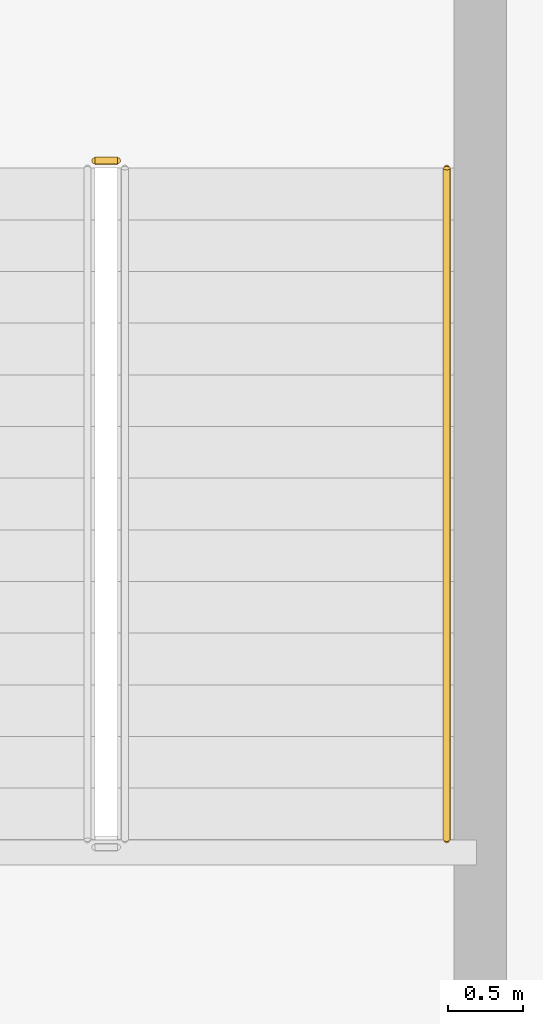
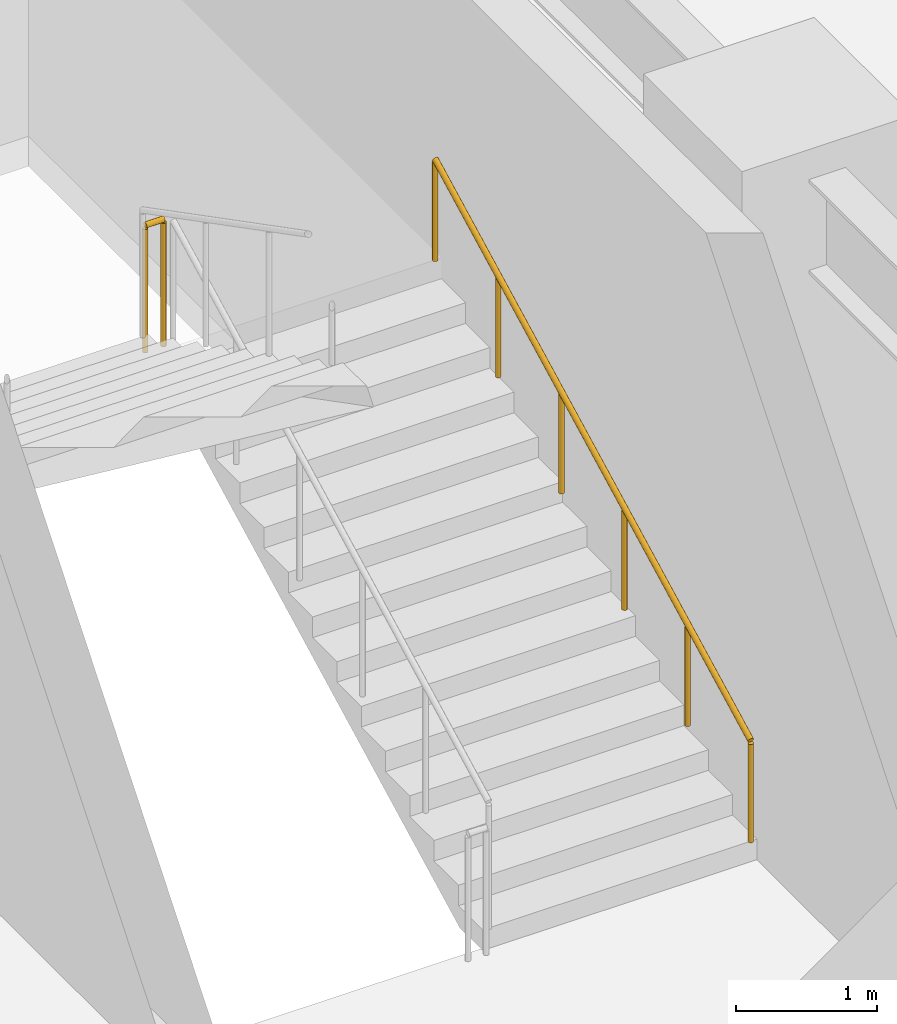
# One storey, part 20 of 24: 2 railings.
"""IFC4 building model written with IfcOpenShell, lengths in metres."""

from ifc_helpers import new_model, si_unit, direction, frame, origin, origin_2d, place, context, subcontext, project, spatial, circle, extrude, material, type_object, element, save


model = new_model("IFC4")

# Units and contexts
model_context = context("Model", 3, precision=1e-05, world=origin(), true_north=direction((0.0, 1.0)))
body_context = subcontext(model_context, "Body", "Model", "MODEL_VIEW")
ifc_project = project(units=[si_unit("LENGTHUNIT", "METRE"), si_unit("AREAUNIT", "SQUARE_METRE"), si_unit("VOLUMEUNIT", "CUBIC_METRE"), si_unit("PLANEANGLEUNIT", "RADIAN"), si_unit("MASSUNIT", "GRAM", prefix="KILO")], contexts=[model_context])

# Site, building, storey
site_placement = place(None, origin())
site = spatial("IfcSite", under=ifc_project, at=site_placement, CompositionType="ELEMENT")
building_placement = place(site_placement, origin())
building = spatial("IfcBuilding", under=site, at=building_placement, Name="Tolvann Quenvar Hotel", CompositionType="ELEMENT")
storey_placement = place(building_placement, frame((0.0, 0.0, 6.0)))
storey = spatial("IfcBuildingStorey", under=building, at=storey_placement, Name="L01", CompositionType="ELEMENT", Elevation=6.0)

# Railings
ifc_material = material(Name="Brushed 316 stainless steel balustrade and handrail", Category="steel")
railing_type_1 = type_object("IfcRailingType", Name="GUARDRAIL", PredefinedType="GUARDRAIL", material=ifc_material)
railing_1_placement = place(storey_placement, frame((52.85009765625, 26.985107421875, 2.5)))
element("IfcRailing", 1, at=railing_1_placement, inside=storey, type_object=railing_type_1, Name="L01 ST-P4 stair guard 2", PredefinedType="GUARDRAIL", context=body_context, shape_type="SweptSolid", body=[
    extrude(circle(Radius=0.02392578125, at=origin_2d()), frame((0.0, 0.0, 1.09619140625), z_axis=(-1.0, 0.0, 0.0), x_axis=(0.0, -1.0, 0.0)), (0.0, 0.0, 1.0), 0.150146484375),
    extrude(circle(Radius=0.02099609375, at=origin_2d()), origin(), (0.0, 0.0, 1.0), 1.072021484375),
    extrude(circle(Radius=0.02099609375, at=origin_2d()), frame((-0.150146484375, 0.0, 0.0)), (0.0, 0.0, 1.0), 1.072021484375),
])
railing_type_2 = type_object("IfcRailingType", Name="HANDRAIL", PredefinedType="HANDRAIL", material=ifc_material)
railing_2_placement = place(storey_placement, frame((55.050048828125, 22.449951171875, 0.178466796875)))
element("IfcRailing", 2, at=railing_2_placement, inside=storey, type_object=railing_type_2, Name="L01 ST-P4 stair handrail 1", PredefinedType="HANDRAIL", context=body_context, shape_type="SweptSolid", body=[
    extrude(circle(Radius=0.02392578125, at=origin_2d()), frame((0.0, 0.0, 0.8759765625), z_axis=(0.0, 0.888084280779, 0.459680661147), x_axis=(-1.0, 0.0, 0.0)), (0.0, 0.0, 1.0), 5.05029296875),
    extrude(circle(Radius=0.02099609375, at=origin_2d()), origin(), (0.0, 0.0, 1.0), 0.851806640625),
    extrude(circle(Radius=0.02099609375, at=origin_2d()), frame((0.0, 0.89697265625, 0.46435546875)), (0.0, 0.0, 1.0), 0.851806640625),
    extrude(circle(Radius=0.02099609375, at=origin_2d()), frame((0.0, 1.7939453125, 0.9287109375)), (0.0, 0.0, 1.0), 0.851806640625),
    extrude(circle(Radius=0.02099609375, at=origin_2d()), frame((0.0, 2.691162109375, 1.392822265625)), (0.0, 0.0, 1.0), 0.851806640625),
    extrude(circle(Radius=0.02099609375, at=origin_2d()), frame((0.0, 3.588134765625, 1.857177734375)), (0.0, 0.0, 1.0), 0.851806640625),
    extrude(circle(Radius=0.02099609375, at=origin_2d()), frame((0.0, 4.485107421875, 2.321533203125)), (0.0, 0.0, 1.0), 0.851806640625),
])

save(model, "model.ifc")
